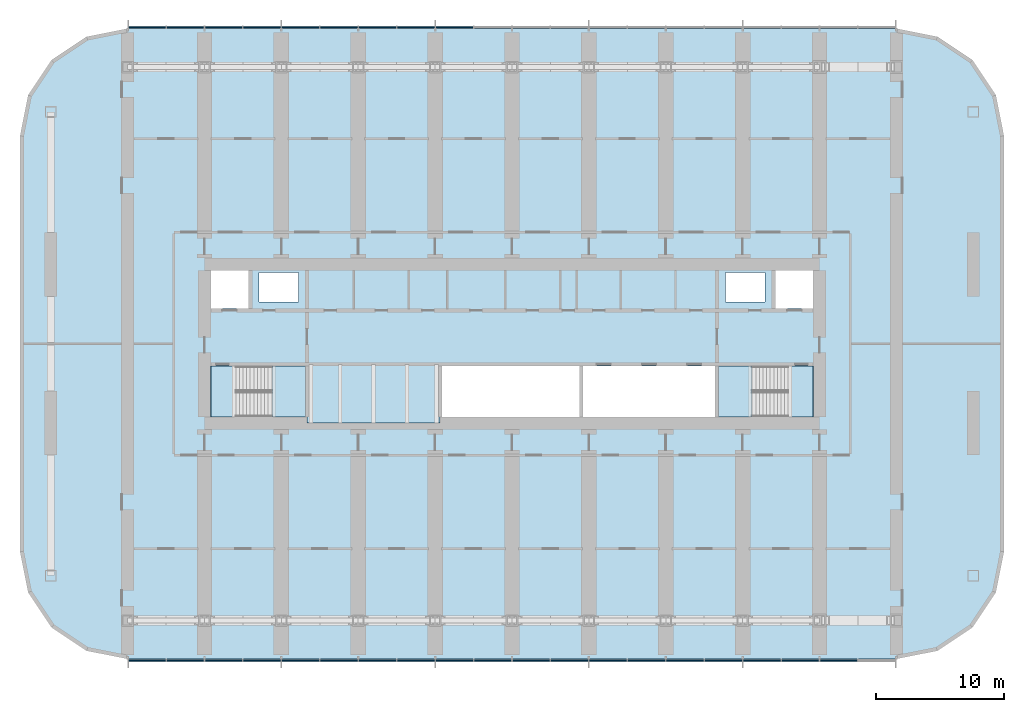
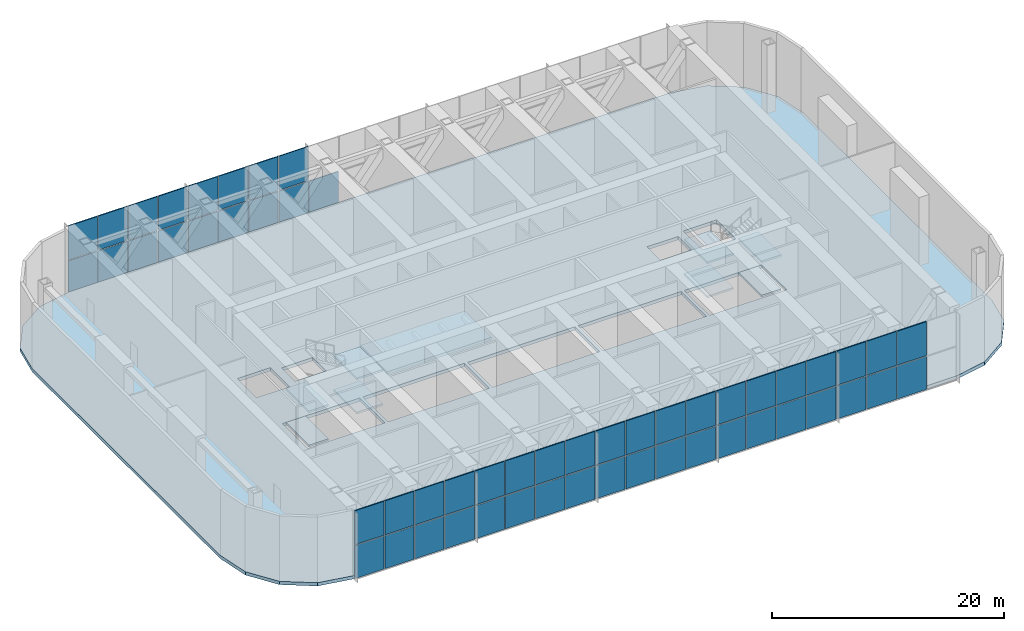
# One storey, part 8 of 24: 55 plates, 10 slabs, 4 elements without a shape of their own.
"""IFC4 building model written with IfcOpenShell, lengths in metres."""

from ifc_helpers import new_model, si_unit, direction, frame, origin, origin_2d, place, context, subcontext, project, spatial, polyline, rectangle, outline, extrude, material, layer, layer_set, type_object, element, aggregate, save


model = new_model("IFC4")

# Units and contexts
model_context = context("Model", 3, precision=1e-05, world=origin(), true_north=direction((0.0, 1.0)))
body_context = subcontext(model_context, "Body", "Model", "MODEL_VIEW")
ifc_project = project(units=[si_unit("LENGTHUNIT", "METRE"), si_unit("AREAUNIT", "SQUARE_METRE"), si_unit("VOLUMEUNIT", "CUBIC_METRE"), si_unit("PLANEANGLEUNIT", "RADIAN"), si_unit("MASSUNIT", "GRAM", prefix="KILO")], contexts=[model_context])

# Site, building, storey
site_placement = place(None, origin())
site = spatial("IfcSite", under=ifc_project, at=site_placement, CompositionType="ELEMENT")
building_placement = place(site_placement, origin())
building = spatial("IfcBuilding", under=site, at=building_placement, Name="Orbita Commons", CompositionType="ELEMENT")
storey_placement = place(building_placement, frame((0.0, 0.0, 68.949951171875)))
storey = spatial("IfcBuildingStorey", under=building, at=storey_placement, Name="L17", CompositionType="ELEMENT", Elevation=68.949951171875)

# Curtain wall, plates
ifc_material_1 = material(Name="Anodised aluminium frame, pale silver", Category="aluminium")
curtain_wall_type = type_object("IfcCurtainWallType", Name="Louvred curtain wall CW-V", PredefinedType="NOTDEFINED", material=ifc_material_1)
curtain_wall_1_placement = place(storey_placement, origin())
curtain_wall_1 = element("IfcCurtainWall", 1, at=curtain_wall_1_placement, inside=storey, type_object=curtain_wall_type, Name="Curtain wall south L17", PredefinedType="NOTDEFINED")
ifc_material_2 = material(Name="Anodised aluminium louvre", Category="aluminium")
ifc_layer_1 = layer(ifc_material_2, 0.10009765625)
ifc_layer_set_1 = layer_set([ifc_layer_1], Name="Anodised aluminium louvre")
plate_type = type_object("IfcPlateType", Name="Aluminium louvre panel 100", PredefinedType="CURTAIN_PANEL", material=ifc_layer_set_1)
plate_1_placement = place(storey_placement, frame((13.52001953125, 7.2900390625, -0.25), z_axis=(0.0, 0.0, 1.0), x_axis=(1.0, 0.0, 0.0)))
plate_1 = element("IfcPlate", 2, at=plate_1_placement, type_object=plate_type, Name="Panel 1.1 CW-L17-S", PredefinedType="CURTAIN_PANEL", context=body_context, shape_type="SweptSolid", body=[
    extrude(rectangle(XDim=2.8798828125, YDim=0.10009765625, at=origin_2d()), origin(), (0.0, 0.0, 1.0), 3.47509765625),
])
plate_2_placement = place(storey_placement, frame((13.52001953125, 7.2900390625, 3.3251953125), z_axis=(0.0, 0.0, 1.0), x_axis=(1.0, 0.0, 0.0)))
plate_2 = element("IfcPlate", 3, at=plate_2_placement, type_object=plate_type, Name="Panel 1.2 CW-L17-S", PredefinedType="CURTAIN_PANEL", context=body_context, shape_type="SweptSolid", body=[
    extrude(rectangle(XDim=2.8798828125, YDim=0.10009765625, at=origin_2d()), origin(), (0.0, 0.0, 1.0), 3.574951171875),
])
plate_3_placement = place(storey_placement, frame((16.5, 7.2900390625, -0.25), z_axis=(0.0, 0.0, 1.0), x_axis=(1.0, 0.0, 0.0)))
plate_3 = element("IfcPlate", 4, at=plate_3_placement, type_object=plate_type, Name="Panel 2.1 CW-L17-S", PredefinedType="CURTAIN_PANEL", context=body_context, shape_type="SweptSolid", body=[
    extrude(rectangle(XDim=2.919921875, YDim=0.10009765625, at=origin_2d()), origin(), (0.0, 0.0, 1.0), 3.47509765625),
])
plate_4_placement = place(storey_placement, frame((16.5, 7.2900390625, 3.3251953125), z_axis=(0.0, 0.0, 1.0), x_axis=(1.0, 0.0, 0.0)))
plate_4 = element("IfcPlate", 5, at=plate_4_placement, type_object=plate_type, Name="Panel 2.2 CW-L17-S", PredefinedType="CURTAIN_PANEL", context=body_context, shape_type="SweptSolid", body=[
    extrude(rectangle(XDim=2.919921875, YDim=0.10009765625, at=origin_2d()), origin(), (0.0, 0.0, 1.0), 3.574951171875),
])
plate_5_placement = place(storey_placement, frame((19.5, 7.2900390625, -0.25), z_axis=(0.0, 0.0, 1.0), x_axis=(1.0, 0.0, 0.0)))
plate_5 = element("IfcPlate", 6, at=plate_5_placement, type_object=plate_type, Name="Panel 3.1 CW-L17-S", PredefinedType="CURTAIN_PANEL", context=body_context, shape_type="SweptSolid", body=[
    extrude(rectangle(XDim=2.919921875, YDim=0.10009765625, at=origin_2d()), origin(), (0.0, 0.0, 1.0), 3.47509765625),
])
plate_6_placement = place(storey_placement, frame((19.5, 7.2900390625, 3.3251953125), z_axis=(0.0, 0.0, 1.0), x_axis=(1.0, 0.0, 0.0)))
plate_6 = element("IfcPlate", 7, at=plate_6_placement, type_object=plate_type, Name="Panel 3.2 CW-L17-S", PredefinedType="CURTAIN_PANEL", context=body_context, shape_type="SweptSolid", body=[
    extrude(rectangle(XDim=2.919921875, YDim=0.10009765625, at=origin_2d()), origin(), (0.0, 0.0, 1.0), 3.574951171875),
])
plate_7_placement = place(storey_placement, frame((22.5, 7.2900390625, -0.25), z_axis=(0.0, 0.0, 1.0), x_axis=(1.0, 0.0, 0.0)))
plate_7 = element("IfcPlate", 8, at=plate_7_placement, type_object=plate_type, Name="Panel 4.1 CW-L17-S", PredefinedType="CURTAIN_PANEL", context=body_context, shape_type="SweptSolid", body=[
    extrude(rectangle(XDim=2.919921875, YDim=0.10009765625, at=origin_2d()), origin(), (0.0, 0.0, 1.0), 3.47509765625),
])
plate_8_placement = place(storey_placement, frame((22.5, 7.2900390625, 3.3251953125), z_axis=(0.0, 0.0, 1.0), x_axis=(1.0, 0.0, 0.0)))
plate_8 = element("IfcPlate", 9, at=plate_8_placement, type_object=plate_type, Name="Panel 4.2 CW-L17-S", PredefinedType="CURTAIN_PANEL", context=body_context, shape_type="SweptSolid", body=[
    extrude(rectangle(XDim=2.919921875, YDim=0.10009765625, at=origin_2d()), origin(), (0.0, 0.0, 1.0), 3.574951171875),
])
plate_9_placement = place(storey_placement, frame((25.5, 7.2900390625, -0.25), z_axis=(0.0, 0.0, 1.0), x_axis=(1.0, 0.0, 0.0)))
plate_9 = element("IfcPlate", 10, at=plate_9_placement, type_object=plate_type, Name="Panel 5.1 CW-L17-S", PredefinedType="CURTAIN_PANEL", context=body_context, shape_type="SweptSolid", body=[
    extrude(rectangle(XDim=2.919921875, YDim=0.10009765625, at=origin_2d()), origin(), (0.0, 0.0, 1.0), 3.47509765625),
])
plate_10_placement = place(storey_placement, frame((25.5, 7.2900390625, 3.3251953125), z_axis=(0.0, 0.0, 1.0), x_axis=(1.0, 0.0, 0.0)))
plate_10 = element("IfcPlate", 11, at=plate_10_placement, type_object=plate_type, Name="Panel 5.2 CW-L17-S", PredefinedType="CURTAIN_PANEL", context=body_context, shape_type="SweptSolid", body=[
    extrude(rectangle(XDim=2.919921875, YDim=0.10009765625, at=origin_2d()), origin(), (0.0, 0.0, 1.0), 3.574951171875),
])
plate_11_placement = place(storey_placement, frame((28.5, 7.2900390625, -0.25), z_axis=(0.0, 0.0, 1.0), x_axis=(1.0, 0.0, 0.0)))
plate_11 = element("IfcPlate", 12, at=plate_11_placement, type_object=plate_type, Name="Panel 6.1 CW-L17-S", PredefinedType="CURTAIN_PANEL", context=body_context, shape_type="SweptSolid", body=[
    extrude(rectangle(XDim=2.919921875, YDim=0.10009765625, at=origin_2d()), origin(), (0.0, 0.0, 1.0), 3.47509765625),
])
plate_12_placement = place(storey_placement, frame((28.5, 7.2900390625, 3.3251953125), z_axis=(0.0, 0.0, 1.0), x_axis=(1.0, 0.0, 0.0)))
plate_12 = element("IfcPlate", 13, at=plate_12_placement, type_object=plate_type, Name="Panel 6.2 CW-L17-S", PredefinedType="CURTAIN_PANEL", context=body_context, shape_type="SweptSolid", body=[
    extrude(rectangle(XDim=2.919921875, YDim=0.10009765625, at=origin_2d()), origin(), (0.0, 0.0, 1.0), 3.574951171875),
])
plate_13_placement = place(storey_placement, frame((31.5, 7.2900390625, -0.25), z_axis=(0.0, 0.0, 1.0), x_axis=(1.0, 0.0, 0.0)))
plate_13 = element("IfcPlate", 14, at=plate_13_placement, type_object=plate_type, Name="Panel 7.1 CW-L17-S", PredefinedType="CURTAIN_PANEL", context=body_context, shape_type="SweptSolid", body=[
    extrude(rectangle(XDim=2.919921875, YDim=0.10009765625, at=origin_2d()), origin(), (0.0, 0.0, 1.0), 3.47509765625),
])
plate_14_placement = place(storey_placement, frame((31.5, 7.2900390625, 3.3251953125), z_axis=(0.0, 0.0, 1.0), x_axis=(1.0, 0.0, 0.0)))
plate_14 = element("IfcPlate", 15, at=plate_14_placement, type_object=plate_type, Name="Panel 7.2 CW-L17-S", PredefinedType="CURTAIN_PANEL", context=body_context, shape_type="SweptSolid", body=[
    extrude(rectangle(XDim=2.919921875, YDim=0.10009765625, at=origin_2d()), origin(), (0.0, 0.0, 1.0), 3.574951171875),
])
plate_15_placement = place(storey_placement, frame((34.5, 7.2900390625, -0.25), z_axis=(0.0, 0.0, 1.0), x_axis=(1.0, 0.0, 0.0)))
plate_15 = element("IfcPlate", 16, at=plate_15_placement, type_object=plate_type, Name="Panel 8.1 CW-L17-S", PredefinedType="CURTAIN_PANEL", context=body_context, shape_type="SweptSolid", body=[
    extrude(rectangle(XDim=2.919921875, YDim=0.10009765625, at=origin_2d()), origin(), (0.0, 0.0, 1.0), 3.47509765625),
])
plate_16_placement = place(storey_placement, frame((34.5, 7.2900390625, 3.3251953125), z_axis=(0.0, 0.0, 1.0), x_axis=(1.0, 0.0, 0.0)))
plate_16 = element("IfcPlate", 17, at=plate_16_placement, type_object=plate_type, Name="Panel 8.2 CW-L17-S", PredefinedType="CURTAIN_PANEL", context=body_context, shape_type="SweptSolid", body=[
    extrude(rectangle(XDim=2.919921875, YDim=0.10009765625, at=origin_2d()), origin(), (0.0, 0.0, 1.0), 3.574951171875),
])
plate_17_placement = place(storey_placement, frame((37.5, 7.2900390625, -0.25), z_axis=(0.0, 0.0, 1.0), x_axis=(1.0, 0.0, 0.0)))
plate_17 = element("IfcPlate", 18, at=plate_17_placement, type_object=plate_type, Name="Panel 9.1 CW-L17-S", PredefinedType="CURTAIN_PANEL", context=body_context, shape_type="SweptSolid", body=[
    extrude(rectangle(XDim=2.919921875, YDim=0.10009765625, at=origin_2d()), origin(), (0.0, 0.0, 1.0), 3.47509765625),
])
plate_18_placement = place(storey_placement, frame((37.5, 7.2900390625, 3.3251953125), z_axis=(0.0, 0.0, 1.0), x_axis=(1.0, 0.0, 0.0)))
plate_18 = element("IfcPlate", 19, at=plate_18_placement, type_object=plate_type, Name="Panel 9.2 CW-L17-S", PredefinedType="CURTAIN_PANEL", context=body_context, shape_type="SweptSolid", body=[
    extrude(rectangle(XDim=2.919921875, YDim=0.10009765625, at=origin_2d()), origin(), (0.0, 0.0, 1.0), 3.574951171875),
])
plate_19_placement = place(storey_placement, frame((40.5, 7.2900390625, -0.25), z_axis=(0.0, 0.0, 1.0), x_axis=(1.0, 0.0, 0.0)))
plate_19 = element("IfcPlate", 20, at=plate_19_placement, type_object=plate_type, Name="Panel 10.1 CW-L17-S", PredefinedType="CURTAIN_PANEL", context=body_context, shape_type="SweptSolid", body=[
    extrude(rectangle(XDim=2.919921875, YDim=0.10009765625, at=origin_2d()), origin(), (0.0, 0.0, 1.0), 3.47509765625),
])
plate_20_placement = place(storey_placement, frame((40.5, 7.2900390625, 3.3251953125), z_axis=(0.0, 0.0, 1.0), x_axis=(1.0, 0.0, 0.0)))
plate_20 = element("IfcPlate", 21, at=plate_20_placement, type_object=plate_type, Name="Panel 10.2 CW-L17-S", PredefinedType="CURTAIN_PANEL", context=body_context, shape_type="SweptSolid", body=[
    extrude(rectangle(XDim=2.919921875, YDim=0.10009765625, at=origin_2d()), origin(), (0.0, 0.0, 1.0), 3.574951171875),
])
plate_21_placement = place(storey_placement, frame((43.5, 7.2900390625, -0.25), z_axis=(0.0, 0.0, 1.0), x_axis=(1.0, 0.0, 0.0)))
plate_21 = element("IfcPlate", 22, at=plate_21_placement, type_object=plate_type, Name="Panel 11.1 CW-L17-S", PredefinedType="CURTAIN_PANEL", context=body_context, shape_type="SweptSolid", body=[
    extrude(rectangle(XDim=2.919921875, YDim=0.10009765625, at=origin_2d()), origin(), (0.0, 0.0, 1.0), 3.47509765625),
])
plate_22_placement = place(storey_placement, frame((43.5, 7.2900390625, 3.3251953125), z_axis=(0.0, 0.0, 1.0), x_axis=(1.0, 0.0, 0.0)))
plate_22 = element("IfcPlate", 23, at=plate_22_placement, type_object=plate_type, Name="Panel 11.2 CW-L17-S", PredefinedType="CURTAIN_PANEL", context=body_context, shape_type="SweptSolid", body=[
    extrude(rectangle(XDim=2.919921875, YDim=0.10009765625, at=origin_2d()), origin(), (0.0, 0.0, 1.0), 3.574951171875),
])
plate_23_placement = place(storey_placement, frame((46.5, 7.2900390625, -0.25), z_axis=(0.0, 0.0, 1.0), x_axis=(1.0, 0.0, 0.0)))
plate_23 = element("IfcPlate", 24, at=plate_23_placement, type_object=plate_type, Name="Panel 12.1 CW-L17-S", PredefinedType="CURTAIN_PANEL", context=body_context, shape_type="SweptSolid", body=[
    extrude(rectangle(XDim=2.919921875, YDim=0.10009765625, at=origin_2d()), origin(), (0.0, 0.0, 1.0), 3.47509765625),
])
plate_24_placement = place(storey_placement, frame((46.5, 7.2900390625, 3.3251953125), z_axis=(0.0, 0.0, 1.0), x_axis=(1.0, 0.0, 0.0)))
plate_24 = element("IfcPlate", 25, at=plate_24_placement, type_object=plate_type, Name="Panel 12.2 CW-L17-S", PredefinedType="CURTAIN_PANEL", context=body_context, shape_type="SweptSolid", body=[
    extrude(rectangle(XDim=2.919921875, YDim=0.10009765625, at=origin_2d()), origin(), (0.0, 0.0, 1.0), 3.574951171875),
])
plate_25_placement = place(storey_placement, frame((49.5, 7.2900390625, -0.25), z_axis=(0.0, 0.0, 1.0), x_axis=(1.0, 0.0, 0.0)))
plate_25 = element("IfcPlate", 26, at=plate_25_placement, type_object=plate_type, Name="Panel 13.1 CW-L17-S", PredefinedType="CURTAIN_PANEL", context=body_context, shape_type="SweptSolid", body=[
    extrude(rectangle(XDim=2.919921875, YDim=0.10009765625, at=origin_2d()), origin(), (0.0, 0.0, 1.0), 3.47509765625),
])
plate_26_placement = place(storey_placement, frame((49.5, 7.2900390625, 3.3251953125), z_axis=(0.0, 0.0, 1.0), x_axis=(1.0, 0.0, 0.0)))
plate_26 = element("IfcPlate", 27, at=plate_26_placement, type_object=plate_type, Name="Panel 13.2 CW-L17-S", PredefinedType="CURTAIN_PANEL", context=body_context, shape_type="SweptSolid", body=[
    extrude(rectangle(XDim=2.919921875, YDim=0.10009765625, at=origin_2d()), origin(), (0.0, 0.0, 1.0), 3.574951171875),
])
plate_27_placement = place(storey_placement, frame((52.5, 7.2900390625, -0.25), z_axis=(0.0, 0.0, 1.0), x_axis=(1.0, 0.0, 0.0)))
plate_27 = element("IfcPlate", 28, at=plate_27_placement, type_object=plate_type, Name="Panel 14.1 CW-L17-S", PredefinedType="CURTAIN_PANEL", context=body_context, shape_type="SweptSolid", body=[
    extrude(rectangle(XDim=2.919921875, YDim=0.10009765625, at=origin_2d()), origin(), (0.0, 0.0, 1.0), 3.47509765625),
])
plate_28_placement = place(storey_placement, frame((52.5, 7.2900390625, 3.3251953125), z_axis=(0.0, 0.0, 1.0), x_axis=(1.0, 0.0, 0.0)))
plate_28 = element("IfcPlate", 29, at=plate_28_placement, type_object=plate_type, Name="Panel 14.2 CW-L17-S", PredefinedType="CURTAIN_PANEL", context=body_context, shape_type="SweptSolid", body=[
    extrude(rectangle(XDim=2.919921875, YDim=0.10009765625, at=origin_2d()), origin(), (0.0, 0.0, 1.0), 3.574951171875),
])
plate_29_placement = place(storey_placement, frame((55.5, 7.2900390625, -0.25), z_axis=(0.0, 0.0, 1.0), x_axis=(1.0, 0.0, 0.0)))
plate_29 = element("IfcPlate", 30, at=plate_29_placement, type_object=plate_type, Name="Panel 15.1 CW-L17-S", PredefinedType="CURTAIN_PANEL", context=body_context, shape_type="SweptSolid", body=[
    extrude(rectangle(XDim=2.919921875, YDim=0.10009765625, at=origin_2d()), origin(), (0.0, 0.0, 1.0), 3.47509765625),
])
plate_30_placement = place(storey_placement, frame((55.5, 7.2900390625, 3.3251953125), z_axis=(0.0, 0.0, 1.0), x_axis=(1.0, 0.0, 0.0)))
plate_30 = element("IfcPlate", 31, at=plate_30_placement, type_object=plate_type, Name="Panel 15.2 CW-L17-S", PredefinedType="CURTAIN_PANEL", context=body_context, shape_type="SweptSolid", body=[
    extrude(rectangle(XDim=2.919921875, YDim=0.10009765625, at=origin_2d()), origin(), (0.0, 0.0, 1.0), 3.574951171875),
])
plate_31_placement = place(storey_placement, frame((58.5, 7.2900390625, -0.25), z_axis=(0.0, 0.0, 1.0), x_axis=(1.0, 0.0, 0.0)))
plate_31 = element("IfcPlate", 32, at=plate_31_placement, type_object=plate_type, Name="Panel 16.1 CW-L17-S", PredefinedType="CURTAIN_PANEL", context=body_context, shape_type="SweptSolid", body=[
    extrude(rectangle(XDim=2.919921875, YDim=0.10009765625, at=origin_2d()), origin(), (0.0, 0.0, 1.0), 3.47509765625),
])
plate_32_placement = place(storey_placement, frame((58.5, 7.2900390625, 3.3251953125), z_axis=(0.0, 0.0, 1.0), x_axis=(1.0, 0.0, 0.0)))
plate_32 = element("IfcPlate", 33, at=plate_32_placement, type_object=plate_type, Name="Panel 16.2 CW-L17-S", PredefinedType="CURTAIN_PANEL", context=body_context, shape_type="SweptSolid", body=[
    extrude(rectangle(XDim=2.919921875, YDim=0.10009765625, at=origin_2d()), origin(), (0.0, 0.0, 1.0), 3.574951171875),
])
plate_33_placement = place(storey_placement, frame((61.5, 7.2900390625, -0.25), z_axis=(0.0, 0.0, 1.0), x_axis=(1.0, 0.0, 0.0)))
plate_33 = element("IfcPlate", 34, at=plate_33_placement, type_object=plate_type, Name="Panel 17.1 CW-L17-S", PredefinedType="CURTAIN_PANEL", context=body_context, shape_type="SweptSolid", body=[
    extrude(rectangle(XDim=2.919921875, YDim=0.10009765625, at=origin_2d()), origin(), (0.0, 0.0, 1.0), 3.47509765625),
])
plate_34_placement = place(storey_placement, frame((61.5, 7.2900390625, 3.3251953125), z_axis=(0.0, 0.0, 1.0), x_axis=(1.0, 0.0, 0.0)))
plate_34 = element("IfcPlate", 35, at=plate_34_placement, type_object=plate_type, Name="Panel 17.2 CW-L17-S", PredefinedType="CURTAIN_PANEL", context=body_context, shape_type="SweptSolid", body=[
    extrude(rectangle(XDim=2.919921875, YDim=0.10009765625, at=origin_2d()), origin(), (0.0, 0.0, 1.0), 3.574951171875),
])
plate_35_placement = place(storey_placement, frame((64.5, 7.2900390625, -0.25), z_axis=(0.0, 0.0, 1.0), x_axis=(1.0, 0.0, 0.0)))
plate_35 = element("IfcPlate", 36, at=plate_35_placement, type_object=plate_type, Name="Panel 18.1 CW-L17-S", PredefinedType="CURTAIN_PANEL", context=body_context, shape_type="SweptSolid", body=[
    extrude(rectangle(XDim=2.919921875, YDim=0.10009765625, at=origin_2d()), origin(), (0.0, 0.0, 1.0), 3.47509765625),
])
plate_36_placement = place(storey_placement, frame((64.5, 7.2900390625, 3.3251953125), z_axis=(0.0, 0.0, 1.0), x_axis=(1.0, 0.0, 0.0)))
plate_36 = element("IfcPlate", 37, at=plate_36_placement, type_object=plate_type, Name="Panel 18.2 CW-L17-S", PredefinedType="CURTAIN_PANEL", context=body_context, shape_type="SweptSolid", body=[
    extrude(rectangle(XDim=2.919921875, YDim=0.10009765625, at=origin_2d()), origin(), (0.0, 0.0, 1.0), 3.574951171875),
])
plate_37_placement = place(storey_placement, frame((67.5, 7.2900390625, -0.25), z_axis=(0.0, 0.0, 1.0), x_axis=(1.0, 0.0, 0.0)))
plate_37 = element("IfcPlate", 38, at=plate_37_placement, type_object=plate_type, Name="Panel 19.1 CW-L17-S", PredefinedType="CURTAIN_PANEL", context=body_context, shape_type="SweptSolid", body=[
    extrude(rectangle(XDim=2.919921875, YDim=0.10009765625, at=origin_2d()), origin(), (0.0, 0.0, 1.0), 3.47509765625),
])
plate_38_placement = place(storey_placement, frame((67.5, 7.2900390625, 3.3251953125), z_axis=(0.0, 0.0, 1.0), x_axis=(1.0, 0.0, 0.0)))
plate_38 = element("IfcPlate", 39, at=plate_38_placement, type_object=plate_type, Name="Panel 19.2 CW-L17-S", PredefinedType="CURTAIN_PANEL", context=body_context, shape_type="SweptSolid", body=[
    extrude(rectangle(XDim=2.919921875, YDim=0.10009765625, at=origin_2d()), origin(), (0.0, 0.0, 1.0), 3.574951171875),
])
aggregate(curtain_wall_1, [plate_1, plate_2, plate_3, plate_4, plate_5, plate_6, plate_7, plate_8, plate_9, plate_10, plate_11, plate_12, plate_13, plate_14, plate_15, plate_16, plate_17, plate_18, plate_19, plate_20, plate_21, plate_22, plate_23, plate_24, plate_25, plate_26, plate_27, plate_28, plate_29, plate_30, plate_31, plate_32, plate_33, plate_34, plate_35, plate_36, plate_37, plate_38])

curtain_wall_2_placement = place(storey_placement, origin())
curtain_wall_2 = element("IfcCurtainWall", 40, at=curtain_wall_2_placement, inside=storey, type_object=curtain_wall_type, Name="Curtain wall north L17", PredefinedType="NOTDEFINED")
plate_39_placement = place(storey_placement, frame((37.5, 56.7099609375, -0.25), z_axis=(0.0, 0.0, 1.0), x_axis=(-1.0, 0.0, 0.0)))
plate_39 = element("IfcPlate", 41, at=plate_39_placement, type_object=plate_type, Name="Panel 12.1 CW-L17-N", PredefinedType="CURTAIN_PANEL", context=body_context, shape_type="SweptSolid", body=[
    extrude(rectangle(XDim=2.919921875, YDim=0.10009765625, at=origin_2d()), origin(), (0.0, 0.0, 1.0), 3.47509765625),
])
plate_40_placement = place(storey_placement, frame((34.5, 56.7099609375, -0.25), z_axis=(0.0, 0.0, 1.0), x_axis=(-1.0, 0.0, 0.0)))
plate_40 = element("IfcPlate", 42, at=plate_40_placement, type_object=plate_type, Name="Panel 13.1 CW-L17-N", PredefinedType="CURTAIN_PANEL", context=body_context, shape_type="SweptSolid", body=[
    extrude(rectangle(XDim=2.919921875, YDim=0.10009765625, at=origin_2d()), origin(), (0.0, 0.0, 1.0), 3.47509765625),
])
plate_41_placement = place(storey_placement, frame((34.5, 56.7099609375, 3.3251953125), z_axis=(0.0, 0.0, 1.0), x_axis=(-1.0, 0.0, 0.0)))
plate_41 = element("IfcPlate", 43, at=plate_41_placement, type_object=plate_type, Name="Panel 13.2 CW-L17-N", PredefinedType="CURTAIN_PANEL", context=body_context, shape_type="SweptSolid", body=[
    extrude(rectangle(XDim=2.919921875, YDim=0.10009765625, at=origin_2d()), origin(), (0.0, 0.0, 1.0), 3.574951171875),
])
plate_42_placement = place(storey_placement, frame((31.5, 56.7099609375, -0.25), z_axis=(0.0, 0.0, 1.0), x_axis=(-1.0, 0.0, 0.0)))
plate_42 = element("IfcPlate", 44, at=plate_42_placement, type_object=plate_type, Name="Panel 14.1 CW-L17-N", PredefinedType="CURTAIN_PANEL", context=body_context, shape_type="SweptSolid", body=[
    extrude(rectangle(XDim=2.919921875, YDim=0.10009765625, at=origin_2d()), origin(), (0.0, 0.0, 1.0), 3.47509765625),
])
plate_43_placement = place(storey_placement, frame((31.5, 56.7099609375, 3.3251953125), z_axis=(0.0, 0.0, 1.0), x_axis=(-1.0, 0.0, 0.0)))
plate_43 = element("IfcPlate", 45, at=plate_43_placement, type_object=plate_type, Name="Panel 14.2 CW-L17-N", PredefinedType="CURTAIN_PANEL", context=body_context, shape_type="SweptSolid", body=[
    extrude(rectangle(XDim=2.919921875, YDim=0.10009765625, at=origin_2d()), origin(), (0.0, 0.0, 1.0), 3.574951171875),
])
plate_44_placement = place(storey_placement, frame((28.5, 56.7099609375, -0.25), z_axis=(0.0, 0.0, 1.0), x_axis=(-1.0, 0.0, 0.0)))
plate_44 = element("IfcPlate", 46, at=plate_44_placement, type_object=plate_type, Name="Panel 15.1 CW-L17-N", PredefinedType="CURTAIN_PANEL", context=body_context, shape_type="SweptSolid", body=[
    extrude(rectangle(XDim=2.919921875, YDim=0.10009765625, at=origin_2d()), origin(), (0.0, 0.0, 1.0), 3.47509765625),
])
plate_45_placement = place(storey_placement, frame((28.5, 56.7099609375, 3.3251953125), z_axis=(0.0, 0.0, 1.0), x_axis=(-1.0, 0.0, 0.0)))
plate_45 = element("IfcPlate", 47, at=plate_45_placement, type_object=plate_type, Name="Panel 15.2 CW-L17-N", PredefinedType="CURTAIN_PANEL", context=body_context, shape_type="SweptSolid", body=[
    extrude(rectangle(XDim=2.919921875, YDim=0.10009765625, at=origin_2d()), origin(), (0.0, 0.0, 1.0), 3.574951171875),
])
plate_46_placement = place(storey_placement, frame((25.5, 56.7099609375, -0.25), z_axis=(0.0, 0.0, 1.0), x_axis=(-1.0, 0.0, 0.0)))
plate_46 = element("IfcPlate", 48, at=plate_46_placement, type_object=plate_type, Name="Panel 16.1 CW-L17-N", PredefinedType="CURTAIN_PANEL", context=body_context, shape_type="SweptSolid", body=[
    extrude(rectangle(XDim=2.919921875, YDim=0.10009765625, at=origin_2d()), origin(), (0.0, 0.0, 1.0), 3.47509765625),
])
plate_47_placement = place(storey_placement, frame((25.5, 56.7099609375, 3.3251953125), z_axis=(0.0, 0.0, 1.0), x_axis=(-1.0, 0.0, 0.0)))
plate_47 = element("IfcPlate", 49, at=plate_47_placement, type_object=plate_type, Name="Panel 16.2 CW-L17-N", PredefinedType="CURTAIN_PANEL", context=body_context, shape_type="SweptSolid", body=[
    extrude(rectangle(XDim=2.919921875, YDim=0.10009765625, at=origin_2d()), origin(), (0.0, 0.0, 1.0), 3.574951171875),
])
plate_48_placement = place(storey_placement, frame((22.5, 56.7099609375, -0.25), z_axis=(0.0, 0.0, 1.0), x_axis=(-1.0, 0.0, 0.0)))
plate_48 = element("IfcPlate", 50, at=plate_48_placement, type_object=plate_type, Name="Panel 17.1 CW-L17-N", PredefinedType="CURTAIN_PANEL", context=body_context, shape_type="SweptSolid", body=[
    extrude(rectangle(XDim=2.919921875, YDim=0.10009765625, at=origin_2d()), origin(), (0.0, 0.0, 1.0), 3.47509765625),
])
plate_49_placement = place(storey_placement, frame((22.5, 56.7099609375, 3.3251953125), z_axis=(0.0, 0.0, 1.0), x_axis=(-1.0, 0.0, 0.0)))
plate_49 = element("IfcPlate", 51, at=plate_49_placement, type_object=plate_type, Name="Panel 17.2 CW-L17-N", PredefinedType="CURTAIN_PANEL", context=body_context, shape_type="SweptSolid", body=[
    extrude(rectangle(XDim=2.919921875, YDim=0.10009765625, at=origin_2d()), origin(), (0.0, 0.0, 1.0), 3.574951171875),
])
plate_50_placement = place(storey_placement, frame((19.5, 56.7099609375, -0.25), z_axis=(0.0, 0.0, 1.0), x_axis=(-1.0, 0.0, 0.0)))
plate_50 = element("IfcPlate", 52, at=plate_50_placement, type_object=plate_type, Name="Panel 18.1 CW-L17-N", PredefinedType="CURTAIN_PANEL", context=body_context, shape_type="SweptSolid", body=[
    extrude(rectangle(XDim=2.919921875, YDim=0.10009765625, at=origin_2d()), origin(), (0.0, 0.0, 1.0), 3.47509765625),
])
plate_51_placement = place(storey_placement, frame((19.5, 56.7099609375, 3.3251953125), z_axis=(0.0, 0.0, 1.0), x_axis=(-1.0, 0.0, 0.0)))
plate_51 = element("IfcPlate", 53, at=plate_51_placement, type_object=plate_type, Name="Panel 18.2 CW-L17-N", PredefinedType="CURTAIN_PANEL", context=body_context, shape_type="SweptSolid", body=[
    extrude(rectangle(XDim=2.919921875, YDim=0.10009765625, at=origin_2d()), origin(), (0.0, 0.0, 1.0), 3.574951171875),
])
plate_52_placement = place(storey_placement, frame((16.5, 56.7099609375, -0.25), z_axis=(0.0, 0.0, 1.0), x_axis=(-1.0, 0.0, 0.0)))
plate_52 = element("IfcPlate", 54, at=plate_52_placement, type_object=plate_type, Name="Panel 19.1 CW-L17-N", PredefinedType="CURTAIN_PANEL", context=body_context, shape_type="SweptSolid", body=[
    extrude(rectangle(XDim=2.919921875, YDim=0.10009765625, at=origin_2d()), origin(), (0.0, 0.0, 1.0), 3.47509765625),
])
plate_53_placement = place(storey_placement, frame((16.5, 56.7099609375, 3.3251953125), z_axis=(0.0, 0.0, 1.0), x_axis=(-1.0, 0.0, 0.0)))
plate_53 = element("IfcPlate", 55, at=plate_53_placement, type_object=plate_type, Name="Panel 19.2 CW-L17-N", PredefinedType="CURTAIN_PANEL", context=body_context, shape_type="SweptSolid", body=[
    extrude(rectangle(XDim=2.919921875, YDim=0.10009765625, at=origin_2d()), origin(), (0.0, 0.0, 1.0), 3.574951171875),
])
plate_54_placement = place(storey_placement, frame((13.52001953125, 56.7099609375, -0.25), z_axis=(0.0, 0.0, 1.0), x_axis=(-1.0, 0.0, 0.0)))
plate_54 = element("IfcPlate", 56, at=plate_54_placement, type_object=plate_type, Name="Panel 20.1 CW-L17-N", PredefinedType="CURTAIN_PANEL", context=body_context, shape_type="SweptSolid", body=[
    extrude(rectangle(XDim=2.8798828125, YDim=0.10009765625, at=origin_2d()), origin(), (0.0, 0.0, 1.0), 3.47509765625),
])
plate_55_placement = place(storey_placement, frame((13.52001953125, 56.7099609375, 3.3251953125), z_axis=(0.0, 0.0, 1.0), x_axis=(-1.0, 0.0, 0.0)))
plate_55 = element("IfcPlate", 57, at=plate_55_placement, type_object=plate_type, Name="Panel 20.2 CW-L17-N", PredefinedType="CURTAIN_PANEL", context=body_context, shape_type="SweptSolid", body=[
    extrude(rectangle(XDim=2.8798828125, YDim=0.10009765625, at=origin_2d()), origin(), (0.0, 0.0, 1.0), 3.574951171875),
])
aggregate(curtain_wall_2, [plate_39, plate_40, plate_41, plate_42, plate_43, plate_44, plate_45, plate_46, plate_47, plate_48, plate_49, plate_50, plate_51, plate_52, plate_53, plate_54, plate_55])

# Slabs
ifc_material_3 = material(Name="Concrete C40/50", Category="concrete")
ifc_layer_2 = layer(ifc_material_3, 0.35009765625)
ifc_layer_set_2 = layer_set([ifc_layer_2], Name="Concrete C40/50")
slab_type_1 = type_object("IfcSlabType", Name="Floor slab 350", PredefinedType="FLOOR", material=ifc_layer_set_2)
slab_1_placement = place(storey_placement, frame((0.0, 0.0, -0.349853515625)))
element("IfcSlab", 58, at=slab_1_placement, inside=storey, type_object=slab_type_1, Name="Floor slab L17", PredefinedType="FLOOR", context=body_context, shape_type="SweptSolid", body=[
    extrude(outline(polyline([(72.0, 7.39990234375), (75.214599609375, 8.039306640625), (77.939697265625, 9.8603515625), (79.760498046875, 12.58544921875), (80.39990234375, 15.800048828125), (80.39990234375, 48.199951171875), (79.760498046875, 51.41455078125), (77.939697265625, 54.1396484375), (75.214599609375, 55.960693359375), (72.0, 56.60009765625), (12.0, 56.60009765625), (8.785400390625, 55.960693359375), (6.060302734375, 54.1396484375), (4.239501953125, 51.41455078125), (3.60009765625, 48.199951171875), (3.60009765625, 15.800048828125), (4.239501953125, 12.58544921875), (6.060302734375, 9.8603515625), (8.785400390625, 8.039306640625), (12.0, 7.39990234375), (72.0, 7.39990234375)]), holes=[polyline([(18.14990234375, 25.949951171875), (25.85009765625, 25.949951171875), (25.85009765625, 30.25), (18.14990234375, 30.25), (18.14990234375, 25.949951171875)]), polyline([(58.14990234375, 25.949951171875), (65.85009765625, 25.949951171875), (65.85009765625, 30.25), (58.14990234375, 30.25), (58.14990234375, 25.949951171875)]), polyline([(18.14990234375, 34.75), (21.449951171875, 34.75), (21.449951171875, 38.050048828125), (18.14990234375, 38.050048828125), (18.14990234375, 34.75)]), polyline([(62.550048828125, 34.75), (65.85009765625, 34.75), (65.85009765625, 38.050048828125), (62.550048828125, 38.050048828125), (62.550048828125, 34.75)]), polyline([(22.25, 35.25), (25.35009765625, 35.25), (25.35009765625, 37.550048828125), (22.25, 37.550048828125), (22.25, 35.25)]), polyline([(58.64990234375, 35.25), (61.75, 35.25), (61.75, 37.550048828125), (58.64990234375, 37.550048828125), (58.64990234375, 35.25)]), polyline([(26.14990234375, 25.949951171875), (36.25, 25.949951171875), (36.25, 30.25), (26.14990234375, 30.25), (26.14990234375, 25.949951171875)]), polyline([(36.550048828125, 25.949951171875), (47.25, 25.949951171875), (47.25, 30.25), (36.550048828125, 30.25), (36.550048828125, 25.949951171875)]), polyline([(47.550048828125, 25.949951171875), (57.85009765625, 25.949951171875), (57.85009765625, 30.25), (47.550048828125, 30.25), (47.550048828125, 25.949951171875)])]), origin(), (0.0, 0.0, 1.0), 0.349853515625),
])
ifc_material_4 = material(Name="Concrete C40/50", Category="concrete")
ifc_layer_3 = layer(ifc_material_4, 0.300048828125)
ifc_layer_set_3 = layer_set([ifc_layer_3], Name="Concrete C40/50")
slab_type_2 = type_object("IfcSlabType", Name="Lift pit slab 300", PredefinedType="FLOOR", material=ifc_layer_set_3)
slab_2_placement = place(storey_placement, frame((0.0, 0.0, 5.10009765625)))
element("IfcSlab", 59, at=slab_2_placement, inside=storey, type_object=slab_type_2, Name="Lift pit slab bank P2", PredefinedType="FLOOR", context=body_context, shape_type="SweptSolid", body=[
    extrude(outline(polyline([(26.0, 25.800048828125), (36.39990234375, 25.800048828125), (36.39990234375, 30.39990234375), (26.0, 30.39990234375), (26.0, 25.800048828125)])), origin(), (0.0, 0.0, 1.0), 0.300048828125),
])

# Stair, slabs
ifc_material_5 = material(Name="Precast concrete C40/50", Category="concrete")
stair_type_1 = type_object("IfcStairType", Name="Exit stair S1 4 flights 11 risers 164", PredefinedType="HALF_TURN_STAIR", material=ifc_material_5)
stair_1_placement = place(storey_placement, origin())
stair_1 = element("IfcStair", 60, at=stair_1_placement, inside=storey, type_object=stair_type_1, Name="Exit stair S1 L17", PredefinedType="HALF_TURN_STAIR")
ifc_material_6 = material(Name="Concrete C40/50", Category="concrete")
ifc_layer_4 = layer(ifc_material_6, 0.199951171875)
ifc_layer_set_4 = layer_set([ifc_layer_4], Name="Concrete C40/50")
slab_type_3 = type_object("IfcSlabType", Name="Stair landing 200", PredefinedType="LANDING", material=ifc_layer_set_4)
slab_3_placement = place(storey_placement, frame((0.0, 0.0, -0.199951171875)))
slab_3 = element("IfcSlab", 61, at=slab_3_placement, type_object=slab_type_3, Name="S1 landing 1", PredefinedType="LANDING", context=body_context, shape_type="SweptSolid", body=[
    extrude(outline(polyline([(18.5, 26.300048828125), (20.449951171875, 26.300048828125), (20.449951171875, 30.25), (18.5, 30.25), (18.5, 26.300048828125)])), origin(), (0.0, 0.0, 1.0), 0.199951171875),
])
slab_4_placement = place(storey_placement, frame((0.0, 0.0, 1.60009765625)))
slab_4 = element("IfcSlab", 62, at=slab_4_placement, type_object=slab_type_3, Name="S1 landing 2", PredefinedType="LANDING", context=body_context, shape_type="SweptSolid", body=[
    extrude(outline(polyline([(23.25, 26.284912109375), (25.864990234375, 26.284912109375), (25.864990234375, 30.264892578125), (23.25, 30.264892578125), (23.25, 26.284912109375)])), origin(), (0.0, 0.0, 1.0), 0.199951171875),
])
slab_5_placement = place(storey_placement, frame((0.0, 0.0, 3.400146484375)))
slab_5 = element("IfcSlab", 63, at=slab_5_placement, type_object=slab_type_3, Name="S1 landing 3", PredefinedType="LANDING", context=body_context, shape_type="SweptSolid", body=[
    extrude(outline(polyline([(18.485107421875, 26.284912109375), (20.449951171875, 26.284912109375), (20.449951171875, 30.264892578125), (18.485107421875, 30.264892578125), (18.485107421875, 26.284912109375)])), origin(), (0.0, 0.0, 1.0), 0.199951171875),
])
slab_6_placement = place(storey_placement, frame((0.0, 0.0, 5.199951171875)))
slab_6 = element("IfcSlab", 64, at=slab_6_placement, type_object=slab_type_3, Name="S1 landing 4", PredefinedType="LANDING", context=body_context, shape_type="SweptSolid", body=[
    extrude(outline(polyline([(23.25, 26.284912109375), (25.864990234375, 26.284912109375), (25.864990234375, 30.264892578125), (23.25, 30.264892578125), (23.25, 26.284912109375)])), origin(), (0.0, 0.0, 1.0), 0.2001953125),
])
aggregate(stair_1, [slab_3, slab_4, slab_5, slab_6])

ifc_material_7 = material(Name="Precast concrete C40/50", Category="concrete")
stair_type_2 = type_object("IfcStairType", Name="Exit stair S2 4 flights 11 risers 164", PredefinedType="HALF_TURN_STAIR", material=ifc_material_7)
stair_2_placement = place(storey_placement, origin())
stair_2 = element("IfcStair", 65, at=stair_2_placement, inside=storey, type_object=stair_type_2, Name="Exit stair S2 L17", PredefinedType="HALF_TURN_STAIR")
slab_7_placement = place(storey_placement, frame((0.0, 0.0, -0.199951171875)))
slab_7 = element("IfcSlab", 66, at=slab_7_placement, type_object=slab_type_3, Name="S2 landing 1", PredefinedType="LANDING", context=body_context, shape_type="SweptSolid", body=[
    extrude(outline(polyline([(63.550048828125, 26.300048828125), (65.5, 26.300048828125), (65.5, 30.25), (63.550048828125, 30.25), (63.550048828125, 26.300048828125)])), origin(), (0.0, 0.0, 1.0), 0.199951171875),
])
slab_8_placement = place(storey_placement, frame((0.0, 0.0, 1.60009765625)))
slab_8 = element("IfcSlab", 67, at=slab_8_placement, type_object=slab_type_3, Name="S2 landing 2", PredefinedType="LANDING", context=body_context, shape_type="SweptSolid", body=[
    extrude(outline(polyline([(58.135009765625, 26.284912109375), (60.75, 26.284912109375), (60.75, 30.264892578125), (58.135009765625, 30.264892578125), (58.135009765625, 26.284912109375)])), origin(), (0.0, 0.0, 1.0), 0.199951171875),
])
slab_9_placement = place(storey_placement, frame((0.0, 0.0, 3.400146484375)))
slab_9 = element("IfcSlab", 68, at=slab_9_placement, type_object=slab_type_3, Name="S2 landing 3", PredefinedType="LANDING", context=body_context, shape_type="SweptSolid", body=[
    extrude(outline(polyline([(63.550048828125, 26.284912109375), (65.514892578125, 26.284912109375), (65.514892578125, 30.264892578125), (63.550048828125, 30.264892578125), (63.550048828125, 26.284912109375)])), origin(), (0.0, 0.0, 1.0), 0.199951171875),
])
slab_10_placement = place(storey_placement, frame((0.0, 0.0, 5.199951171875)))
slab_10 = element("IfcSlab", 69, at=slab_10_placement, type_object=slab_type_3, Name="S2 landing 4", PredefinedType="LANDING", context=body_context, shape_type="SweptSolid", body=[
    extrude(outline(polyline([(58.135009765625, 26.284912109375), (60.75, 26.284912109375), (60.75, 30.264892578125), (58.135009765625, 30.264892578125), (58.135009765625, 26.284912109375)])), origin(), (0.0, 0.0, 1.0), 0.2001953125),
])
aggregate(stair_2, [slab_7, slab_8, slab_9, slab_10])

save(model, "model.ifc")
